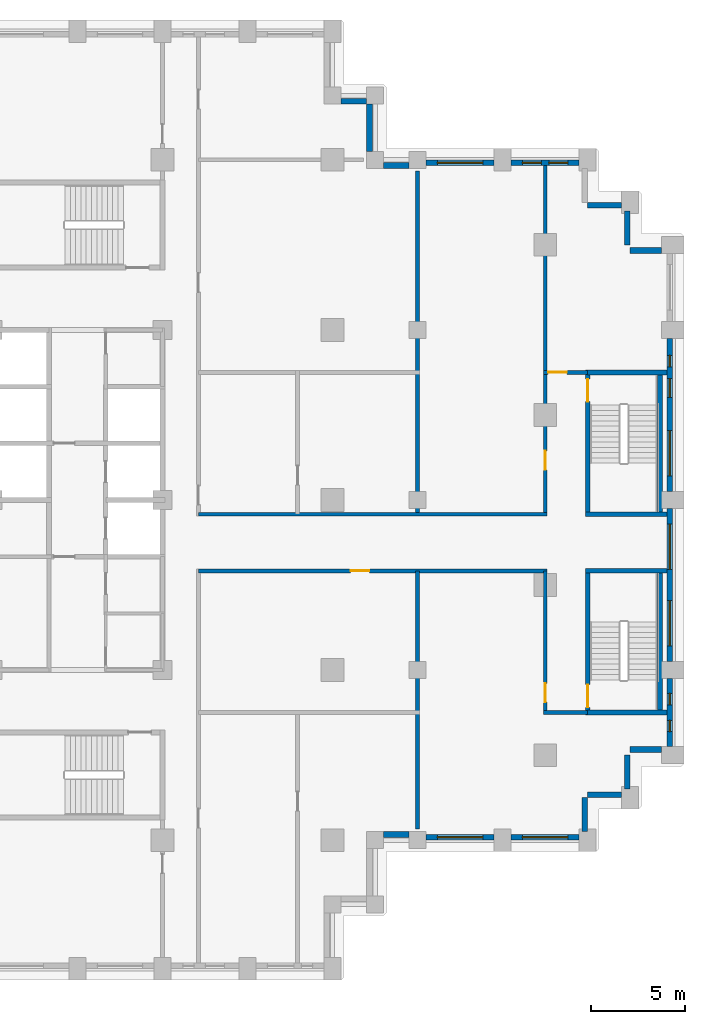
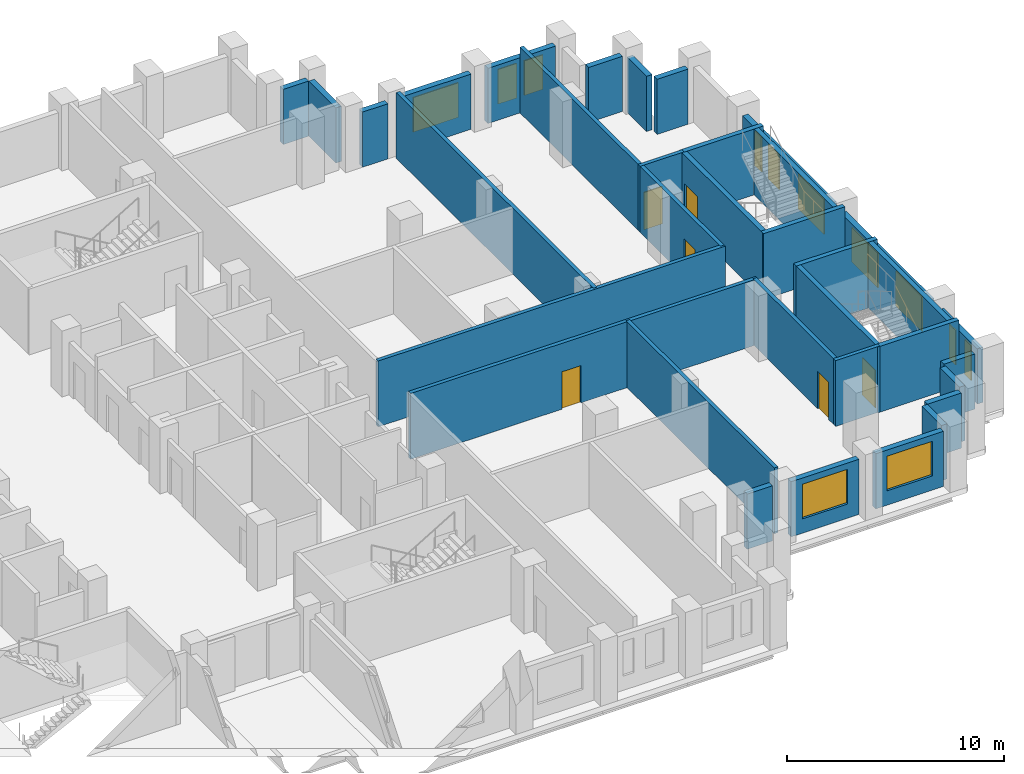
# One storey, part 9 of 13: 34 walls, 12 windows, 6 doors, 18 openings.
"""IFC4 building model written with IfcOpenShell, lengths in metres."""

from ifc_helpers import new_model, si_unit, direction, frame, frame_2d, origin, place, context, subcontext, project, spatial, rectangle, extrude, material, layer, layer_set, type_object, element, fill, save


model = new_model("IFC4")

# Units and contexts
model_context = context("Model", 3, precision=1e-05, world=origin(), true_north=direction((0.0, 1.0)))
body_context = subcontext(model_context, "Body", "Model", "MODEL_VIEW")
ifc_project = project(units=[si_unit("LENGTHUNIT", "METRE"), si_unit("AREAUNIT", "SQUARE_METRE"), si_unit("VOLUMEUNIT", "CUBIC_METRE"), si_unit("PLANEANGLEUNIT", "RADIAN"), si_unit("MASSUNIT", "GRAM", prefix="KILO")], contexts=[model_context])

# Site, building, storey
site_placement = place(None, origin())
site = spatial("IfcSite", under=ifc_project, at=site_placement, CompositionType="ELEMENT")
building_placement = place(site_placement, origin())
building = spatial("IfcBuilding", under=site, at=building_placement, Name="Corbelhall Arena Tower", CompositionType="ELEMENT")
storey_placement = place(building_placement, frame((0.0, 0.0, 68.0)))
storey = spatial("IfcBuildingStorey", under=building, at=storey_placement, Name="L09", CompositionType="ELEMENT", Elevation=68.0)

# Walls
ifc_material_1 = material(Name="Precast concrete C40/50 with granite facing", Category="masonry")
ifc_layer_1 = layer(ifc_material_1, 0.300048828125)
ifc_layer_set_1 = layer_set([ifc_layer_1], Name="EV-IW1 Infill panel 300")
wall_type_1 = type_object("IfcWallType", Name="EV-IW1 Infill panel 300", PredefinedType="SOLIDWALL", material=ifc_layer_set_1)
for number, where, z_axis, x_axis, name in (
    (1, (35.85009765625, -17.550048828125, 0.0), (0.0, 0.0, 1.0), (0.0, 1.0, 0.0), "Infill panel IW1"),
    (2, (37.800048828125, -15.60009765625, 0.0), (0.0, 0.0, 1.0), (-1.0, 0.0, 0.0), "Infill panel IW1"),
    (3, (38.10009765625, -15.300048828125, 0.0), (0.0, 0.0, 1.0), (0.0, 1.0, 0.0), "Infill panel IW1"),
):
    element("IfcWall", number, at=place(storey_placement, frame(where, z_axis=z_axis, x_axis=x_axis)), inside=storey, type_object=wall_type_1, Name=name, PredefinedType="SOLIDWALL", context=body_context, shape_type="SweptSolid", body=[
        extrude(rectangle(XDim=1.800048828125, YDim=0.300048828125, at=frame_2d((0.89990234375, 0.0))), origin(), (0.0, 0.0, 1.0), 3.10009765625),
    ])
for number, where, z_axis, x_axis, name in (
    (4, (39.89990234375, -13.199951171875, 0.0), (0.0, 0.0, 1.0), (-1.0, 0.0, 0.0), "Infill panel IW1"),
    (5, (39.89990234375, 13.199951171875, 0.0), (0.0, 0.0, 1.0), (-1.0, 0.0, 0.0), "Infill panel IW1"),
):
    element("IfcWall", number, at=place(storey_placement, frame(where, z_axis=z_axis, x_axis=x_axis)), inside=storey, type_object=wall_type_1, Name=name, PredefinedType="SOLIDWALL", context=body_context, shape_type="SweptSolid", body=[
        extrude(rectangle(XDim=1.64990234375, YDim=0.300048828125, at=frame_2d((0.824951171875, 0.0))), origin(), (0.0, 0.0, 1.0), 3.10009765625),
    ])
for number, where, z_axis, x_axis, name in (
    (6, (38.10009765625, 15.300048828125, 0.0), (0.0, 0.0, 1.0), (0.0, -1.0, 0.0), "Infill panel IW1"),
    (7, (37.800048828125, 15.60009765625, 0.0), (0.0, 0.0, 1.0), (-1.0, 0.0, 0.0), "Infill panel IW1"),
):
    element("IfcWall", number, at=place(storey_placement, frame(where, z_axis=z_axis, x_axis=x_axis)), inside=storey, type_object=wall_type_1, Name=name, PredefinedType="SOLIDWALL", context=body_context, shape_type="SweptSolid", body=[
        extrude(rectangle(XDim=1.800048828125, YDim=0.300048828125, at=frame_2d((0.89990234375, 0.0))), origin(), (0.0, 0.0, 1.0), 3.10009765625),
    ])
wall_1_placement = place(storey_placement, frame((25.199951171875, -17.699951171875, 0.0), z_axis=(0.0, 0.0, 1.0), x_axis=(1.0, 0.0, 0.0)))
element("IfcWall", 8, at=wall_1_placement, inside=storey, type_object=wall_type_1, Name="Infill panel IW1", PredefinedType="SOLIDWALL", context=body_context, shape_type="SweptSolid", body=[
    extrude(rectangle(XDim=1.35009765625, YDim=0.300048828125, at=frame_2d((0.675048828125, 0.0))), origin(), (0.0, 0.0, 1.0), 3.10009765625),
])

# Wall, opening, window
wall_2_placement = place(storey_placement, frame((27.449951171875, -17.85009765625, 0.0), z_axis=(0.0, 0.0, 1.0), x_axis=(1.0, 0.0, 0.0)))
wall_2 = element("IfcWall", 9, at=wall_2_placement, inside=storey, type_object=wall_type_1, Name="Infill panel IW1", PredefinedType="SOLIDWALL", context=body_context, shape_type="SweptSolid", body=[
    extrude(rectangle(XDim=3.60009765625, YDim=0.300048828125, at=frame_2d((1.800048828125, 0.0))), origin(), (0.0, 0.0, 1.0), 3.10009765625),
])
opening_1_placement = place(wall_2_placement, frame((0.60009765625, 0.0, 0.800048828125)))
opening_1 = element("IfcOpeningElement", 10, at=opening_1_placement, cuts=wall_2, Name="Opening WN1", PredefinedType="OPENING", context=body_context, shape_type="SweptSolid", body=[
    extrude(rectangle(XDim=2.39990234375, YDim=1.949951171875, at=frame_2d((1.199951171875, 0.97509765625))), frame((0.0, 0.14990234375, 0.0), z_axis=(0.0, -1.0, 0.0), x_axis=(1.0, 0.0, 0.0)), (0.0, 0.0, 1.0), 0.300048828125),
])
ifc_material_2 = material(Name="Aluminium black anodised", Category="aluminium")
window_type_1 = type_object("IfcWindowType", Name="EV-WN1 Office window", PartitioningType="SINGLE_PANEL", PredefinedType="WINDOW", material=ifc_material_2)
window_1_placement = place(opening_1_placement, origin())
window_1 = element("IfcWindow", 11, at=window_1_placement, inside=storey, type_object=window_type_1, Name="Window WN1", OverallHeight=1.949951171875, OverallWidth=2.39990234375, PartitioningType="SINGLE_PANEL", PredefinedType="WINDOW", context=body_context, shape_type="SweptSolid", body=[
    extrude(rectangle(XDim=2.39990234375, YDim=1.949951171875, at=frame_2d((1.199951171875, 0.97509765625))), frame((0.0, 0.030029296875, 0.0), z_axis=(0.0, -1.0, 0.0), x_axis=(1.0, 0.0, 0.0)), (0.0, 0.0, 1.0), 0.06005859375),
])
fill(opening_1, window_1)

wall_3_placement = place(storey_placement, frame((31.949951171875, -17.85009765625, 0.0), z_axis=(0.0, 0.0, 1.0), x_axis=(1.0, 0.0, 0.0)))
wall_3 = element("IfcWall", 12, at=wall_3_placement, inside=storey, type_object=wall_type_1, Name="Infill panel IW1", PredefinedType="SOLIDWALL", context=body_context, shape_type="SweptSolid", body=[
    extrude(rectangle(XDim=3.60009765625, YDim=0.300048828125, at=frame_2d((1.800048828125, 0.0))), origin(), (0.0, 0.0, 1.0), 3.10009765625),
])
opening_2_placement = place(wall_3_placement, frame((0.60009765625, 0.0, 0.800048828125)))
opening_2 = element("IfcOpeningElement", 13, at=opening_2_placement, cuts=wall_3, Name="Opening WN1", PredefinedType="OPENING", context=body_context, shape_type="SweptSolid", body=[
    extrude(rectangle(XDim=2.39990234375, YDim=1.949951171875, at=frame_2d((1.199951171875, 0.97509765625))), frame((0.0, 0.14990234375, 0.0), z_axis=(0.0, -1.0, 0.0), x_axis=(1.0, 0.0, 0.0)), (0.0, 0.0, 1.0), 0.300048828125),
])
window_2_placement = place(opening_2_placement, origin())
window_2 = element("IfcWindow", 14, at=window_2_placement, inside=storey, type_object=window_type_1, Name="Window WN1", OverallHeight=1.949951171875, OverallWidth=2.39990234375, PartitioningType="SINGLE_PANEL", PredefinedType="WINDOW", context=body_context, shape_type="SweptSolid", body=[
    extrude(rectangle(XDim=2.39990234375, YDim=1.949951171875, at=frame_2d((1.199951171875, 0.97509765625))), frame((0.0, 0.030029296875, 0.0), z_axis=(0.0, -1.0, 0.0), x_axis=(1.0, 0.0, 0.0)), (0.0, 0.0, 1.0), 0.06005859375),
])
fill(opening_2, window_2)

# Wall, openings, windows
wall_4_placement = place(storey_placement, frame((40.35009765625, -13.050048828125, 0.0), z_axis=(0.0, 0.0, 1.0), x_axis=(0.0, 1.0, 0.0)))
wall_4 = element("IfcWall", 15, at=wall_4_placement, inside=storey, type_object=wall_type_1, Name="Infill panel IW1", PredefinedType="SOLIDWALL", context=body_context, shape_type="SweptSolid", body=[
    extrude(rectangle(XDim=3.60009765625, YDim=0.300048828125, at=frame_2d((1.800048828125, 0.0))), origin(), (0.0, 0.0, 1.0), 3.10009765625),
])
opening_3_placement = place(wall_4_placement, frame((0.78759765625, 0.0, 0.800048828125)))
opening_3 = element("IfcOpeningElement", 16, at=opening_3_placement, cuts=wall_4, Name="Opening WN5", PredefinedType="OPENING", context=body_context, shape_type="SweptSolid", body=[
    extrude(rectangle(XDim=0.60009765625, YDim=1.949951171875, at=frame_2d((0.300048828125, 0.97509765625))), frame((0.0, 0.14990234375, 0.0), z_axis=(0.0, -1.0, 0.0), x_axis=(1.0, 0.0, 0.0)), (0.0, 0.0, 1.0), 0.300048828125),
])
opening_4_placement = place(wall_4_placement, frame((2.21240234375, 0.0, 0.800048828125)))
opening_4 = element("IfcOpeningElement", 17, at=opening_4_placement, cuts=wall_4, Name="Opening WN5", PredefinedType="OPENING", context=body_context, shape_type="SweptSolid", body=[
    extrude(rectangle(XDim=0.60009765625, YDim=1.949951171875, at=frame_2d((0.300048828125, 0.97509765625))), frame((0.0, 0.14990234375, 0.0), z_axis=(0.0, -1.0, 0.0), x_axis=(1.0, 0.0, 0.0)), (0.0, 0.0, 1.0), 0.300048828125),
])
window_type_2 = type_object("IfcWindowType", Name="EV-WN5 Office window 600", PartitioningType="SINGLE_PANEL", PredefinedType="WINDOW", material=ifc_material_2)
window_3_placement = place(opening_3_placement, origin())
window_3 = element("IfcWindow", 18, at=window_3_placement, inside=storey, type_object=window_type_2, Name="Window WN5", OverallHeight=1.949951171875, OverallWidth=0.60009765625, PartitioningType="SINGLE_PANEL", PredefinedType="WINDOW", context=body_context, shape_type="SweptSolid", body=[
    extrude(rectangle(XDim=0.60009765625, YDim=1.949951171875, at=frame_2d((0.300048828125, 0.97509765625))), frame((0.0, 0.030029296875, 0.0), z_axis=(0.0, -1.0, 0.0), x_axis=(1.0, 0.0, 0.0)), (0.0, 0.0, 1.0), 0.06005859375),
])
fill(opening_3, window_3)
window_4_placement = place(opening_4_placement, origin())
window_4 = element("IfcWindow", 19, at=window_4_placement, inside=storey, type_object=window_type_2, Name="Window WN5", OverallHeight=1.949951171875, OverallWidth=0.60009765625, PartitioningType="SINGLE_PANEL", PredefinedType="WINDOW", context=body_context, shape_type="SweptSolid", body=[
    extrude(rectangle(XDim=0.60009765625, YDim=1.949951171875, at=frame_2d((0.300048828125, 0.97509765625))), frame((0.0, 0.030029296875, 0.0), z_axis=(0.0, -1.0, 0.0), x_axis=(1.0, 0.0, 0.0)), (0.0, 0.0, 1.0), 0.06005859375),
])
fill(opening_4, window_4)

wall_5_placement = place(storey_placement, frame((40.35009765625, -8.550048828125, 0.0), z_axis=(0.0, 0.0, 1.0), x_axis=(0.0, 1.0, 0.0)))
wall_5 = element("IfcWall", 20, at=wall_5_placement, inside=storey, type_object=wall_type_1, Name="Infill panel IW1", PredefinedType="SOLIDWALL", context=body_context, shape_type="SweptSolid", body=[
    extrude(rectangle(XDim=8.10009765625, YDim=0.300048828125, at=frame_2d((4.050048828125, 0.0))), origin(), (0.0, 0.0, 1.0), 3.10009765625),
])
opening_5_placement = place(wall_5_placement, frame((0.824951171875, 0.0, 0.800048828125)))
opening_5 = element("IfcOpeningElement", 21, at=opening_5_placement, cuts=wall_5, Name="Opening WN1", PredefinedType="OPENING", context=body_context, shape_type="SweptSolid", body=[
    extrude(rectangle(XDim=2.39990234375, YDim=1.949951171875, at=frame_2d((1.199951171875, 0.97509765625))), frame((0.0, 0.14990234375, 0.0), z_axis=(0.0, -1.0, 0.0), x_axis=(1.0, 0.0, 0.0)), (0.0, 0.0, 1.0), 0.300048828125),
])
opening_6_placement = place(wall_5_placement, frame((4.875, 0.0, 0.800048828125)))
opening_6 = element("IfcOpeningElement", 22, at=opening_6_placement, cuts=wall_5, Name="Opening WN1", PredefinedType="OPENING", context=body_context, shape_type="SweptSolid", body=[
    extrude(rectangle(XDim=2.39990234375, YDim=1.949951171875, at=frame_2d((1.199951171875, 0.97509765625))), frame((0.0, 0.14990234375, 0.0), z_axis=(0.0, -1.0, 0.0), x_axis=(1.0, 0.0, 0.0)), (0.0, 0.0, 1.0), 0.300048828125),
])
window_5_placement = place(opening_5_placement, origin())
window_5 = element("IfcWindow", 23, at=window_5_placement, inside=storey, type_object=window_type_1, Name="Window WN1", OverallHeight=1.949951171875, OverallWidth=2.39990234375, PartitioningType="SINGLE_PANEL", PredefinedType="WINDOW", context=body_context, shape_type="SweptSolid", body=[
    extrude(rectangle(XDim=2.39990234375, YDim=1.949951171875, at=frame_2d((1.199951171875, 0.97509765625))), frame((0.0, 0.030029296875, 0.0), z_axis=(0.0, -1.0, 0.0), x_axis=(1.0, 0.0, 0.0)), (0.0, 0.0, 1.0), 0.06005859375),
])
fill(opening_5, window_5)
window_6_placement = place(opening_6_placement, origin())
window_6 = element("IfcWindow", 24, at=window_6_placement, inside=storey, type_object=window_type_1, Name="Window WN1", OverallHeight=1.949951171875, OverallWidth=2.39990234375, PartitioningType="SINGLE_PANEL", PredefinedType="WINDOW", context=body_context, shape_type="SweptSolid", body=[
    extrude(rectangle(XDim=2.39990234375, YDim=1.949951171875, at=frame_2d((1.199951171875, 0.97509765625))), frame((0.0, 0.030029296875, 0.0), z_axis=(0.0, -1.0, 0.0), x_axis=(1.0, 0.0, 0.0)), (0.0, 0.0, 1.0), 0.06005859375),
])
fill(opening_6, window_6)

wall_6_placement = place(storey_placement, frame((40.35009765625, 0.449951171875, 0.0), z_axis=(0.0, 0.0, 1.0), x_axis=(0.0, 1.0, 0.0)))
wall_6 = element("IfcWall", 25, at=wall_6_placement, inside=storey, type_object=wall_type_1, Name="Infill panel IW1", PredefinedType="SOLIDWALL", context=body_context, shape_type="SweptSolid", body=[
    extrude(rectangle(XDim=8.10009765625, YDim=0.300048828125, at=frame_2d((4.050048828125, 0.0))), origin(), (0.0, 0.0, 1.0), 3.10009765625),
])
opening_7_placement = place(wall_6_placement, frame((0.824951171875, 0.0, 0.800048828125)))
opening_7 = element("IfcOpeningElement", 26, at=opening_7_placement, cuts=wall_6, Name="Opening WN1", PredefinedType="OPENING", context=body_context, shape_type="SweptSolid", body=[
    extrude(rectangle(XDim=2.39990234375, YDim=1.949951171875, at=frame_2d((1.199951171875, 0.97509765625))), frame((0.0, 0.14990234375, 0.0), z_axis=(0.0, -1.0, 0.0), x_axis=(1.0, 0.0, 0.0)), (0.0, 0.0, 1.0), 0.300048828125),
])
opening_8_placement = place(wall_6_placement, frame((4.97509765625, 0.0, 0.800048828125)))
opening_8 = element("IfcOpeningElement", 27, at=opening_8_placement, cuts=wall_6, Name="Opening WN6", PredefinedType="OPENING", context=body_context, shape_type="SweptSolid", body=[
    extrude(rectangle(XDim=1.0, YDim=1.949951171875, at=frame_2d((0.5, 0.97509765625))), frame((0.0, 0.14990234375, 0.0), z_axis=(0.0, -1.0, 0.0), x_axis=(1.0, 0.0, 0.0)), (0.0, 0.0, 1.0), 0.300048828125),
])
opening_9_placement = place(wall_6_placement, frame((6.60009765625, 0.0, 0.800048828125)))
opening_9 = element("IfcOpeningElement", 28, at=opening_9_placement, cuts=wall_6, Name="Opening WN5", PredefinedType="OPENING", context=body_context, shape_type="SweptSolid", body=[
    extrude(rectangle(XDim=0.60009765625, YDim=1.949951171875, at=frame_2d((0.300048828125, 0.97509765625))), frame((0.0, 0.14990234375, 0.0), z_axis=(0.0, -1.0, 0.0), x_axis=(1.0, 0.0, 0.0)), (0.0, 0.0, 1.0), 0.300048828125),
])
window_7_placement = place(opening_7_placement, origin())
window_7 = element("IfcWindow", 29, at=window_7_placement, inside=storey, type_object=window_type_1, Name="Window WN1", OverallHeight=1.949951171875, OverallWidth=2.39990234375, PartitioningType="SINGLE_PANEL", PredefinedType="WINDOW", context=body_context, shape_type="SweptSolid", body=[
    extrude(rectangle(XDim=2.39990234375, YDim=1.949951171875, at=frame_2d((1.199951171875, 0.97509765625))), frame((0.0, 0.030029296875, 0.0), z_axis=(0.0, -1.0, 0.0), x_axis=(1.0, 0.0, 0.0)), (0.0, 0.0, 1.0), 0.06005859375),
])
fill(opening_7, window_7)
window_8_placement = place(opening_9_placement, origin())
window_8 = element("IfcWindow", 30, at=window_8_placement, inside=storey, type_object=window_type_2, Name="Window WN5", OverallHeight=1.949951171875, OverallWidth=0.60009765625, PartitioningType="SINGLE_PANEL", PredefinedType="WINDOW", context=body_context, shape_type="SweptSolid", body=[
    extrude(rectangle(XDim=0.60009765625, YDim=1.949951171875, at=frame_2d((0.300048828125, 0.97509765625))), frame((0.0, 0.030029296875, 0.0), z_axis=(0.0, -1.0, 0.0), x_axis=(1.0, 0.0, 0.0)), (0.0, 0.0, 1.0), 0.06005859375),
])
fill(opening_9, window_8)
window_type_3 = type_object("IfcWindowType", Name="EV-WN6 Office window 1000", PartitioningType="SINGLE_PANEL", PredefinedType="WINDOW", material=ifc_material_2)
window_9_placement = place(opening_8_placement, origin())
window_9 = element("IfcWindow", 31, at=window_9_placement, inside=storey, type_object=window_type_3, Name="Window WN6", OverallHeight=1.949951171875, OverallWidth=1.0, PartitioningType="SINGLE_PANEL", PredefinedType="WINDOW", context=body_context, shape_type="SweptSolid", body=[
    extrude(rectangle(XDim=1.0, YDim=1.949951171875, at=frame_2d((0.5, 0.97509765625))), frame((0.0, 0.030029296875, 0.0), z_axis=(0.0, -1.0, 0.0), x_axis=(1.0, 0.0, 0.0)), (0.0, 0.0, 1.0), 0.06005859375),
])
fill(opening_8, window_9)

wall_7_placement = place(storey_placement, frame((35.550048828125, 17.85009765625, 0.0), z_axis=(0.0, 0.0, 1.0), x_axis=(-1.0, 0.0, 0.0)))
wall_7 = element("IfcWall", 32, at=wall_7_placement, inside=storey, type_object=wall_type_1, Name="Infill panel IW1", PredefinedType="SOLIDWALL", context=body_context, shape_type="SweptSolid", body=[
    extrude(rectangle(XDim=3.60009765625, YDim=0.300048828125, at=frame_2d((1.800048828125, 0.0))), origin(), (0.0, 0.0, 1.0), 3.10009765625),
])
opening_10_placement = place(wall_7_placement, frame((0.60009765625, 0.0, 0.800048828125)))
opening_10 = element("IfcOpeningElement", 33, at=opening_10_placement, cuts=wall_7, Name="Opening WN6", PredefinedType="OPENING", context=body_context, shape_type="SweptSolid", body=[
    extrude(rectangle(XDim=1.0, YDim=1.949951171875, at=frame_2d((0.5, 0.97509765625))), frame((0.0, 0.14990234375, 0.0), z_axis=(0.0, -1.0, 0.0), x_axis=(1.0, 0.0, 0.0)), (0.0, 0.0, 1.0), 0.300048828125),
])
opening_11_placement = place(wall_7_placement, frame((2.0, 0.0, 0.800048828125)))
opening_11 = element("IfcOpeningElement", 34, at=opening_11_placement, cuts=wall_7, Name="Opening WN6", PredefinedType="OPENING", context=body_context, shape_type="SweptSolid", body=[
    extrude(rectangle(XDim=1.0, YDim=1.949951171875, at=frame_2d((0.5, 0.97509765625))), frame((0.0, 0.14990234375, 0.0), z_axis=(0.0, -1.0, 0.0), x_axis=(1.0, 0.0, 0.0)), (0.0, 0.0, 1.0), 0.300048828125),
])
window_10_placement = place(opening_10_placement, origin())
window_10 = element("IfcWindow", 35, at=window_10_placement, inside=storey, type_object=window_type_3, Name="Window WN6", OverallHeight=1.949951171875, OverallWidth=1.0, PartitioningType="SINGLE_PANEL", PredefinedType="WINDOW", context=body_context, shape_type="SweptSolid", body=[
    extrude(rectangle(XDim=1.0, YDim=1.949951171875, at=frame_2d((0.5, 0.97509765625))), frame((0.0, 0.030029296875, 0.0), z_axis=(0.0, -1.0, 0.0), x_axis=(1.0, 0.0, 0.0)), (0.0, 0.0, 1.0), 0.06005859375),
])
fill(opening_10, window_10)
window_11_placement = place(opening_11_placement, origin())
window_11 = element("IfcWindow", 36, at=window_11_placement, inside=storey, type_object=window_type_3, Name="Window WN6", OverallHeight=1.949951171875, OverallWidth=1.0, PartitioningType="SINGLE_PANEL", PredefinedType="WINDOW", context=body_context, shape_type="SweptSolid", body=[
    extrude(rectangle(XDim=1.0, YDim=1.949951171875, at=frame_2d((0.5, 0.97509765625))), frame((0.0, 0.030029296875, 0.0), z_axis=(0.0, -1.0, 0.0), x_axis=(1.0, 0.0, 0.0)), (0.0, 0.0, 1.0), 0.06005859375),
])
fill(opening_11, window_11)

# Wall, opening, window
wall_8_placement = place(storey_placement, frame((31.050048828125, 17.85009765625, 0.0), z_axis=(0.0, 0.0, 1.0), x_axis=(-1.0, 0.0, 0.0)))
wall_8 = element("IfcWall", 37, at=wall_8_placement, inside=storey, type_object=wall_type_1, Name="Infill panel IW1", PredefinedType="SOLIDWALL", context=body_context, shape_type="SweptSolid", body=[
    extrude(rectangle(XDim=3.60009765625, YDim=0.300048828125, at=frame_2d((1.800048828125, 0.0))), origin(), (0.0, 0.0, 1.0), 3.10009765625),
])
opening_12_placement = place(wall_8_placement, frame((0.60009765625, 0.0, 0.800048828125)))
opening_12 = element("IfcOpeningElement", 38, at=opening_12_placement, cuts=wall_8, Name="Opening WN1", PredefinedType="OPENING", context=body_context, shape_type="SweptSolid", body=[
    extrude(rectangle(XDim=2.39990234375, YDim=1.949951171875, at=frame_2d((1.199951171875, 0.97509765625))), frame((0.0, 0.14990234375, 0.0), z_axis=(0.0, -1.0, 0.0), x_axis=(1.0, 0.0, 0.0)), (0.0, 0.0, 1.0), 0.300048828125),
])
window_12_placement = place(opening_12_placement, origin())
window_12 = element("IfcWindow", 39, at=window_12_placement, inside=storey, type_object=window_type_1, Name="Window WN1", OverallHeight=1.949951171875, OverallWidth=2.39990234375, PartitioningType="SINGLE_PANEL", PredefinedType="WINDOW", context=body_context, shape_type="SweptSolid", body=[
    extrude(rectangle(XDim=2.39990234375, YDim=1.949951171875, at=frame_2d((1.199951171875, 0.97509765625))), frame((0.0, 0.030029296875, 0.0), z_axis=(0.0, -1.0, 0.0), x_axis=(1.0, 0.0, 0.0)), (0.0, 0.0, 1.0), 0.06005859375),
])
fill(opening_12, window_12)

# Walls
wall_9_placement = place(storey_placement, frame((26.550048828125, 17.699951171875, 0.0), z_axis=(0.0, 0.0, 1.0), x_axis=(-1.0, 0.0, 0.0)))
element("IfcWall", 40, at=wall_9_placement, inside=storey, type_object=wall_type_1, Name="Infill panel IW1", PredefinedType="SOLIDWALL", context=body_context, shape_type="SweptSolid", body=[
    extrude(rectangle(XDim=1.35009765625, YDim=0.300048828125, at=frame_2d((0.675048828125, 0.0))), origin(), (0.0, 0.0, 1.0), 3.10009765625),
])
wall_10_placement = place(storey_placement, frame((24.449951171875, 18.449951171875, 0.0), z_axis=(0.0, 0.0, 1.0), x_axis=(0.0, 1.0, 0.0)))
element("IfcWall", 41, at=wall_10_placement, inside=storey, type_object=wall_type_1, Name="Infill panel IW1", PredefinedType="SOLIDWALL", context=body_context, shape_type="SweptSolid", body=[
    extrude(rectangle(XDim=2.5, YDim=0.300048828125, at=frame_2d((1.25, 0.0))), origin(), (0.0, 0.0, 1.0), 3.10009765625),
])
wall_11_placement = place(storey_placement, frame((24.300048828125, 21.10009765625, 0.0), z_axis=(0.0, 0.0, 1.0), x_axis=(-1.0, 0.0, 0.0)))
element("IfcWall", 42, at=wall_11_placement, inside=storey, type_object=wall_type_1, Name="Infill panel IW1", PredefinedType="SOLIDWALL", context=body_context, shape_type="SweptSolid", body=[
    extrude(rectangle(XDim=1.35009765625, YDim=0.300048828125, at=frame_2d((0.675048828125, 0.0))), origin(), (0.0, 0.0, 1.0), 3.10009765625),
])
ifc_material_3 = material(Name="Gypsum board on steel stud, acoustic", Category="steel")
ifc_layer_2 = layer(ifc_material_3, 0.199951171875)
ifc_layer_set_2 = layer_set([ifc_layer_2], Name="IN-W-DM200")
wall_type_2 = type_object("IfcWallType", Name="IN-W-DM200", PredefinedType="PARTITIONING", material=ifc_layer_set_2)
wall_12_placement = place(storey_placement, frame((15.39990234375, -0.75, 0.0), z_axis=(0.0, 0.0, 1.0), x_axis=(1.0, 0.0, 0.0)))
element("IfcWall", 43, at=wall_12_placement, inside=storey, type_object=wall_type_2, Name="Partition 033", PredefinedType="PARTITIONING", context=body_context, shape_type="SweptSolid", body=[
    extrude(rectangle(XDim=18.4501953125, YDim=0.199951171875, at=frame_2d((9.22509765625, 0.0))), origin(), (0.0, 0.0, 1.0), 3.699951171875),
])
wall_13_placement = place(storey_placement, frame((27.0, -3.75, 0.0), z_axis=(0.0, 0.0, 1.0), x_axis=(0.0, -1.0, 0.0)))
element("IfcWall", 44, at=wall_13_placement, inside=storey, type_object=wall_type_2, Name="Partition 039", PredefinedType="PARTITIONING", context=body_context, shape_type="SweptSolid", body=[
    extrude(rectangle(XDim=13.64990234375, YDim=0.199951171875, at=frame_2d((6.824951171875, 0.0))), origin(), (0.0, 0.0, 1.0), 3.699951171875),
])
wall_14_placement = place(storey_placement, frame((27.0, 17.39990234375, 0.0), z_axis=(0.0, 0.0, 1.0), x_axis=(0.0, -1.0, 0.0)))
element("IfcWall", 45, at=wall_14_placement, inside=storey, type_object=wall_type_2, Name="Partition 040", PredefinedType="PARTITIONING", context=body_context, shape_type="SweptSolid", body=[
    extrude(rectangle(XDim=18.14990234375, YDim=0.199951171875, at=frame_2d((9.074951171875, 0.0))), origin(), (0.0, 0.0, 1.0), 3.699951171875),
])

# Wall, opening, door
wall_15_placement = place(storey_placement, frame((33.85009765625, -3.75, 0.0), z_axis=(0.0, 0.0, 1.0), x_axis=(-1.0, 0.0, 0.0)))
wall_15 = element("IfcWall", 46, at=wall_15_placement, inside=storey, type_object=wall_type_2, Name="Partition 041", PredefinedType="PARTITIONING", context=body_context, shape_type="SweptSolid", body=[
    extrude(rectangle(XDim=18.4501953125, YDim=0.199951171875, at=frame_2d((9.22509765625, 0.0))), origin(), (0.0, 0.0, 1.0), 3.699951171875),
])
opening_13_placement = place(wall_15_placement, frame((9.39990234375, 0.0, 0.0)))
opening_13 = element("IfcOpeningElement", 47, at=opening_13_placement, cuts=wall_15, Name="Opening 01039", PredefinedType="OPENING", context=body_context, shape_type="SweptSolid", body=[
    extrude(rectangle(XDim=1.0, YDim=2.10009765625, at=frame_2d((0.5, 1.050048828125))), frame((0.0, 0.10009765625, 0.0), z_axis=(0.0, -1.0, 0.0), x_axis=(1.0, 0.0, 0.0)), (0.0, 0.0, 1.0), 0.199951171875),
])
ifc_material_4 = material(Name="Steel door set", Category="steel")
door_type_1 = type_object("IfcDoorType", Name="IN-D-SW100", OperationType="NOTDEFINED", PredefinedType="DOOR", material=ifc_material_4)
door_1_placement = place(opening_13_placement, origin())
door_1 = element("IfcDoor", 48, at=door_1_placement, inside=storey, type_object=door_type_1, Name="Door 039", OperationType="SINGLE_SWING_RIGHT", OverallHeight=2.10009765625, OverallWidth=1.0, PredefinedType="DOOR", context=body_context, shape_type="SweptSolid", body=[
    extrude(rectangle(XDim=1.0, YDim=2.10009765625, at=frame_2d((0.5, 1.050048828125))), frame((0.0, 0.02490234375, 0.0), z_axis=(0.0, -1.0, 0.0), x_axis=(1.0, 0.0, 0.0)), (0.0, 0.0, 1.0), 0.050048828125),
])
fill(opening_13, door_1)

wall_16_placement = place(storey_placement, frame((33.64990234375, 6.75, 0.0), z_axis=(0.0, 0.0, 1.0), x_axis=(1.0, 0.0, 0.0)))
wall_16 = element("IfcWall", 49, at=wall_16_placement, inside=storey, type_object=wall_type_2, Name="Partition 042", PredefinedType="PARTITIONING", context=body_context, shape_type="SweptSolid", body=[
    extrude(rectangle(XDim=2.35009765625, YDim=0.199951171875, at=frame_2d((1.175048828125, 0.0))), origin(), (0.0, 0.0, 1.0), 3.699951171875),
])
opening_14_placement = place(wall_16_placement, frame((0.25, 0.0, 0.0)))
opening_14 = element("IfcOpeningElement", 50, at=opening_14_placement, cuts=wall_16, Name="Opening 01045", PredefinedType="OPENING", context=body_context, shape_type="SweptSolid", body=[
    extrude(rectangle(XDim=1.0, YDim=2.10009765625, at=frame_2d((0.5, 1.050048828125))), frame((0.0, 0.10009765625, 0.0), z_axis=(0.0, -1.0, 0.0), x_axis=(1.0, 0.0, 0.0)), (0.0, 0.0, 1.0), 0.199951171875),
])
door_2_placement = place(opening_14_placement, origin())
door_2 = element("IfcDoor", 51, at=door_2_placement, inside=storey, type_object=door_type_1, Name="Door 045", OperationType="SINGLE_SWING_RIGHT", OverallHeight=2.10009765625, OverallWidth=1.0, PredefinedType="DOOR", context=body_context, shape_type="SweptSolid", body=[
    extrude(rectangle(XDim=1.0, YDim=2.10009765625, at=frame_2d((0.5, 1.050048828125))), frame((0.0, 0.02490234375, 0.0), z_axis=(0.0, -1.0, 0.0), x_axis=(1.0, 0.0, 0.0)), (0.0, 0.0, 1.0), 0.050048828125),
])
fill(opening_14, door_2)

wall_17_placement = place(storey_placement, frame((33.75, -11.25, 0.0), z_axis=(0.0, 0.0, 1.0), x_axis=(0.0, 1.0, 0.0)))
wall_17 = element("IfcWall", 52, at=wall_17_placement, inside=storey, type_object=wall_type_2, Name="Partition 043", PredefinedType="PARTITIONING", context=body_context, shape_type="SweptSolid", body=[
    extrude(rectangle(XDim=7.5, YDim=0.199951171875, at=frame_2d((3.75, 0.0))), origin(), (0.0, 0.0, 1.0), 3.699951171875),
])
opening_15_placement = place(wall_17_placement, frame((0.550048828125, 0.0, 0.0)))
opening_15 = element("IfcOpeningElement", 53, at=opening_15_placement, cuts=wall_17, Name="Opening 01046", PredefinedType="OPENING", context=body_context, shape_type="SweptSolid", body=[
    extrude(rectangle(XDim=1.0, YDim=2.10009765625, at=frame_2d((0.5, 1.050048828125))), frame((0.0, 0.10009765625, 0.0), z_axis=(0.0, -1.0, 0.0), x_axis=(1.0, 0.0, 0.0)), (0.0, 0.0, 1.0), 0.199951171875),
])
door_3_placement = place(opening_15_placement, origin())
door_3 = element("IfcDoor", 54, at=door_3_placement, inside=storey, type_object=door_type_1, Name="Door 046", OperationType="SINGLE_SWING_LEFT", OverallHeight=2.10009765625, OverallWidth=1.0, PredefinedType="DOOR", context=body_context, shape_type="SweptSolid", body=[
    extrude(rectangle(XDim=1.0, YDim=2.10009765625, at=frame_2d((0.5, 1.050048828125))), frame((0.0, 0.02490234375, 0.0), z_axis=(0.0, -1.0, 0.0), x_axis=(1.0, 0.0, 0.0)), (0.0, 0.0, 1.0), 0.050048828125),
])
fill(opening_15, door_3)

wall_18_placement = place(storey_placement, frame((33.75, -0.75, 0.0), z_axis=(0.0, 0.0, 1.0), x_axis=(0.0, 1.0, 0.0)))
wall_18 = element("IfcWall", 55, at=wall_18_placement, inside=storey, type_object=wall_type_2, Name="Partition 044", PredefinedType="PARTITIONING", context=body_context, shape_type="SweptSolid", body=[
    extrude(rectangle(XDim=18.449951171875, YDim=0.199951171875, at=frame_2d((9.22509765625, 0.0))), origin(), (0.0, 0.0, 1.0), 3.699951171875),
])
opening_16_placement = place(wall_18_placement, frame((2.35009765625, 0.0, 0.0)))
opening_16 = element("IfcOpeningElement", 56, at=opening_16_placement, cuts=wall_18, Name="Opening 01044", PredefinedType="OPENING", context=body_context, shape_type="SweptSolid", body=[
    extrude(rectangle(XDim=1.0, YDim=2.10009765625, at=frame_2d((0.5, 1.050048828125))), frame((0.0, 0.10009765625, 0.0), z_axis=(0.0, -1.0, 0.0), x_axis=(1.0, 0.0, 0.0)), (0.0, 0.0, 1.0), 0.199951171875),
])
door_4_placement = place(opening_16_placement, origin())
door_4 = element("IfcDoor", 57, at=door_4_placement, inside=storey, type_object=door_type_1, Name="Door 044", OperationType="SINGLE_SWING_LEFT", OverallHeight=2.10009765625, OverallWidth=1.0, PredefinedType="DOOR", context=body_context, shape_type="SweptSolid", body=[
    extrude(rectangle(XDim=1.0, YDim=2.10009765625, at=frame_2d((0.5, 1.050048828125))), frame((0.0, 0.02490234375, 0.0), z_axis=(0.0, -1.0, 0.0), x_axis=(1.0, 0.0, 0.0)), (0.0, 0.0, 1.0), 0.050048828125),
])
fill(opening_16, door_4)

# Walls
wall_19_placement = place(storey_placement, frame((36.0, -11.25, 0.0), z_axis=(0.0, 0.0, 1.0), x_axis=(-1.0, 0.0, 0.0)))
element("IfcWall", 58, at=wall_19_placement, inside=storey, type_object=wall_type_2, Name="Partition 045", PredefinedType="PARTITIONING", context=body_context, shape_type="SweptSolid", body=[
    extrude(rectangle(XDim=2.35009765625, YDim=0.199951171875, at=frame_2d((1.175048828125, 0.0))), origin(), (0.0, 0.0, 1.0), 3.699951171875),
])
ifc_material_5 = material(Name="Concrete C40/50", Category="concrete")
ifc_layer_3 = layer(ifc_material_5, 0.25)
ifc_layer_set_3 = layer_set([ifc_layer_3], Name="IN-W-ST250")
wall_type_3 = type_object("IfcWallType", Name="IN-W-ST250", PredefinedType="SOLIDWALL", material=ifc_layer_set_3)
wall_20_placement = place(storey_placement, frame((35.875, -0.75, 0.0), z_axis=(0.0, 0.0, 1.0), x_axis=(1.0, 0.0, 0.0)))
element("IfcWall", 59, at=wall_20_placement, inside=storey, type_object=wall_type_3, Name="Shaft wall 107", PredefinedType="SOLIDWALL", context=body_context, shape_type="SweptSolid", body=[
    extrude(rectangle(XDim=4.324951171875, YDim=0.25, at=frame_2d((2.16259765625, 0.0))), origin(), (0.0, 0.0, 1.0), 3.699951171875),
])

# Wall, opening, door
wall_21_placement = place(storey_placement, frame((36.0, -11.375, 0.0), z_axis=(0.0, 0.0, 1.0), x_axis=(0.0, 1.0, 0.0)))
wall_21 = element("IfcWall", 60, at=wall_21_placement, inside=storey, type_object=wall_type_3, Name="Shaft wall 108", PredefinedType="SOLIDWALL", context=body_context, shape_type="SweptSolid", body=[
    extrude(rectangle(XDim=7.625, YDim=0.25, at=frame_2d((3.8125, 0.0))), origin(), (0.0, 0.0, 1.0), 3.699951171875),
])
opening_17_placement = place(wall_21_placement, frame((0.39990234375, 0.0, 0.0)))
opening_17 = element("IfcOpeningElement", 61, at=opening_17_placement, cuts=wall_21, Name="Opening 01021", PredefinedType="OPENING", context=body_context, shape_type="SweptSolid", body=[
    extrude(rectangle(XDim=1.199951171875, YDim=2.10009765625, at=frame_2d((0.60009765625, 1.050048828125))), frame((0.0, 0.125, 0.0), z_axis=(0.0, -1.0, 0.0), x_axis=(1.0, 0.0, 0.0)), (0.0, 0.0, 1.0), 0.25),
])
door_type_2 = type_object("IfcDoorType", Name="IN-D-ST120", OperationType="NOTDEFINED", PredefinedType="DOOR", material=ifc_material_4)
door_5_placement = place(opening_17_placement, origin())
door_5 = element("IfcDoor", 62, at=door_5_placement, inside=storey, type_object=door_type_2, Name="Door 021", OperationType="SINGLE_SWING_RIGHT", OverallHeight=2.10009765625, OverallWidth=1.199951171875, PredefinedType="DOOR", context=body_context, shape_type="SweptSolid", body=[
    extrude(rectangle(XDim=1.199951171875, YDim=2.10009765625, at=frame_2d((0.60009765625, 1.050048828125))), frame((0.0, 0.02490234375, 0.0), z_axis=(0.0, -1.0, 0.0), x_axis=(1.0, 0.0, 0.0)), (0.0, 0.0, 1.0), 0.050048828125),
])
fill(opening_17, door_5)

wall_22_placement = place(storey_placement, frame((36.0, -0.75, 0.0), z_axis=(0.0, 0.0, 1.0), x_axis=(0.0, 1.0, 0.0)))
wall_22 = element("IfcWall", 63, at=wall_22_placement, inside=storey, type_object=wall_type_3, Name="Shaft wall 109", PredefinedType="SOLIDWALL", context=body_context, shape_type="SweptSolid", body=[
    extrude(rectangle(XDim=7.625, YDim=0.25, at=frame_2d((3.8125, 0.0))), origin(), (0.0, 0.0, 1.0), 3.699951171875),
])
opening_18_placement = place(wall_22_placement, frame((5.949951171875, 0.0, 0.0)))
opening_18 = element("IfcOpeningElement", 64, at=opening_18_placement, cuts=wall_22, Name="Opening 01022", PredefinedType="OPENING", context=body_context, shape_type="SweptSolid", body=[
    extrude(rectangle(XDim=1.199951171875, YDim=2.10009765625, at=frame_2d((0.60009765625, 1.050048828125))), frame((0.0, 0.125, 0.0), z_axis=(0.0, -1.0, 0.0), x_axis=(1.0, 0.0, 0.0)), (0.0, 0.0, 1.0), 0.25),
])
door_6_placement = place(opening_18_placement, origin())
door_6 = element("IfcDoor", 65, at=door_6_placement, inside=storey, type_object=door_type_2, Name="Door 022", OperationType="SINGLE_SWING_LEFT", OverallHeight=2.10009765625, OverallWidth=1.199951171875, PredefinedType="DOOR", context=body_context, shape_type="SweptSolid", body=[
    extrude(rectangle(XDim=1.199951171875, YDim=2.10009765625, at=frame_2d((0.60009765625, 1.050048828125))), frame((0.0, 0.02490234375, 0.0), z_axis=(0.0, -1.0, 0.0), x_axis=(1.0, 0.0, 0.0)), (0.0, 0.0, 1.0), 0.050048828125),
])
fill(opening_18, door_6)

# Walls
for number, where, z_axis, x_axis, name in (
    (66, (36.0, 6.75, 0.0), (0.0, 0.0, 1.0), (1.0, 0.0, 0.0), "Shaft wall 110"),
    (67, (40.199951171875, -11.25, 0.0), (0.0, 0.0, 1.0), (-1.0, 0.0, 0.0), "Shaft wall 111"),
):
    element("IfcWall", number, at=place(storey_placement, frame(where, z_axis=z_axis, x_axis=x_axis)), inside=storey, type_object=wall_type_3, Name=name, PredefinedType="SOLIDWALL", context=body_context, shape_type="SweptSolid", body=[
        extrude(rectangle(XDim=4.199951171875, YDim=0.25, at=frame_2d((2.10009765625, 0.0))), origin(), (0.0, 0.0, 1.0), 3.699951171875),
    ])
wall_23_placement = place(storey_placement, frame((40.199951171875, -3.75, 0.0), z_axis=(0.0, 0.0, 1.0), x_axis=(-1.0, 0.0, 0.0)))
element("IfcWall", 68, at=wall_23_placement, inside=storey, type_object=wall_type_3, Name="Shaft wall 112", PredefinedType="SOLIDWALL", context=body_context, shape_type="SweptSolid", body=[
    extrude(rectangle(XDim=4.324951171875, YDim=0.25, at=frame_2d((2.16259765625, 0.0))), origin(), (0.0, 0.0, 1.0), 3.699951171875),
])
for number, where, z_axis, x_axis, name in (
    (69, (39.824951171875, -11.125, 0.0), (0.0, 0.0, 1.0), (0.0, 1.0, 0.0), "Shaft wall SD1 facade side"),
    (70, (39.824951171875, -0.625, 0.0), (0.0, 0.0, 1.0), (0.0, 1.0, 0.0), "Shaft wall SD2 facade side"),
):
    element("IfcWall", number, at=place(storey_placement, frame(where, z_axis=z_axis, x_axis=x_axis)), inside=storey, type_object=wall_type_3, Name=name, PredefinedType="SOLIDWALL", context=body_context, shape_type="SweptSolid", body=[
        extrude(rectangle(XDim=7.25, YDim=0.25, at=frame_2d((3.625, 0.0))), origin(), (0.0, 0.0, 1.0), 3.699951171875),
    ])

save(model, "model.ifc")
